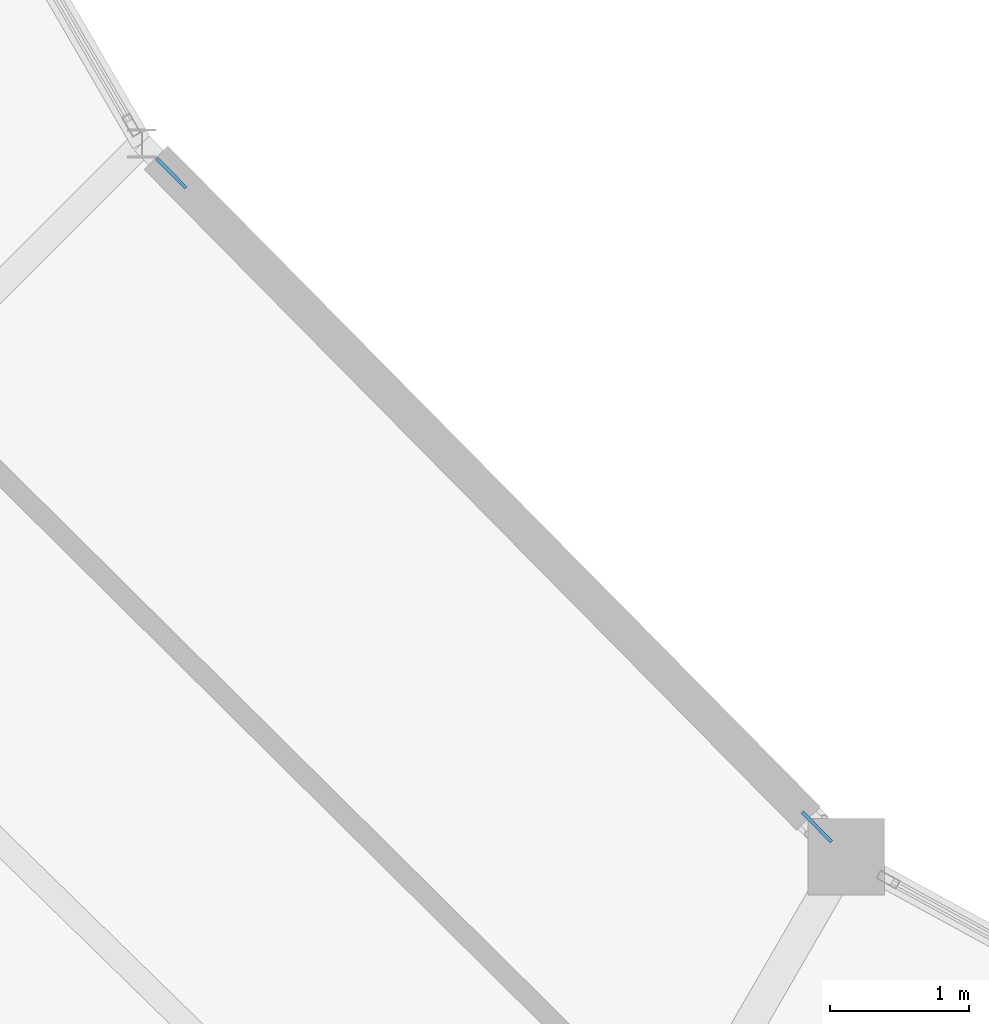
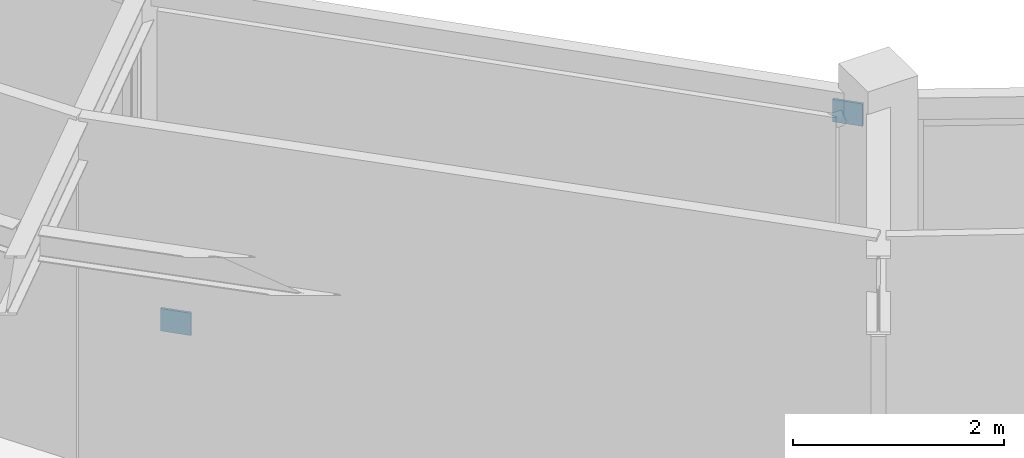
# One storey, part 126 of 157: 2 plates.
"""IFC4 building model written with IfcOpenShell, lengths in metres."""

from ifc_helpers import new_model, si_unit, direction, frame, origin, origin_2d, place, context, subcontext, project, spatial, rectangle, extrude, material, layer, layer_set, type_object, element, save


model = new_model("IFC4")

# Units and contexts
model_context = context("Model", 3, precision=1e-05, world=origin(), true_north=direction((0.0, 1.0)))
body_context = subcontext(model_context, "Body", "Model", "MODEL_VIEW")
ifc_project = project(units=[si_unit("LENGTHUNIT", "METRE"), si_unit("AREAUNIT", "SQUARE_METRE"), si_unit("VOLUMEUNIT", "CUBIC_METRE"), si_unit("PLANEANGLEUNIT", "RADIAN"), si_unit("MASSUNIT", "GRAM", prefix="KILO")], contexts=[model_context])

# Site, building, storey
site_placement = place(None, origin())
site = spatial("IfcSite", under=ifc_project, at=site_placement, CompositionType="ELEMENT")
building_placement = place(site_placement, origin())
building = spatial("IfcBuilding", under=site, at=building_placement, Name="Karori Crest Natural Sciences Institute", CompositionType="ELEMENT")
storey_placement = place(building_placement, frame((0.0, 0.0, 13.300048828125)))
storey = spatial("IfcBuildingStorey", under=building, at=storey_placement, Name="L03", CompositionType="ELEMENT", Elevation=13.300048828125)

# Plates
ifc_material = material(Name="Structural steel AS/NZS 3679.1 Grade 350", Category="steel")
ifc_layer = layer(ifc_material, 0.02490234375, Name="Structural steel AS/NZS 3679.1 Grade 350")
ifc_layer_set = layer_set([ifc_layer], Name="Structural steel AS/NZS 3679.1 Grade 350")
plate_type = type_object("IfcPlateType", Name="PLT-06", PredefinedType="SHEET", material=ifc_layer_set)
for number, where, z_axis, x_axis, name in (
    (1, (49.357421875, 26.917724609375, -0.11962890625), (0.0, 0.0, 1.0), (-0.702663630174, 0.711522187167, 0.0), "Brace gusset plate EP-0037"),
    (2, (53.9892578125, 22.2275390625, 3.5205078125), (0.0, 0.0, 1.0), (-0.702663630174, 0.711522187167, 0.0), "Brace gusset plate EP-0038"),
):
    element("IfcPlate", number, at=place(storey_placement, frame(where, z_axis=z_axis, x_axis=x_axis)), inside=storey, type_object=plate_type, Name=name, PredefinedType="SHEET", context=body_context, shape_type="SweptSolid", body=[
        extrude(rectangle(XDim=0.299072265625, YDim=0.02490234375, at=origin_2d()), origin(), (0.0, 0.0, 1.0), 0.259033203125),
    ])

save(model, "model.ifc")
